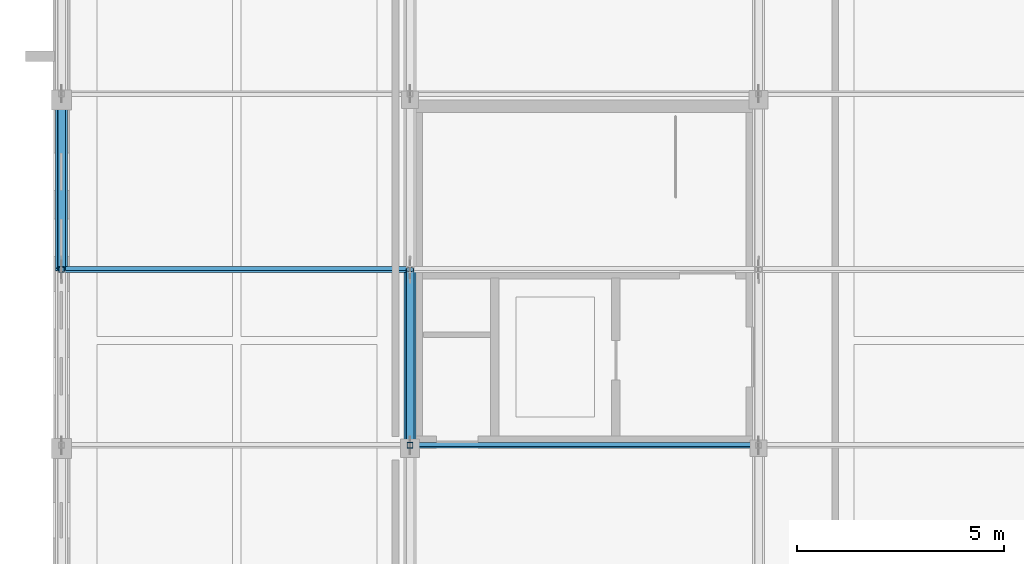
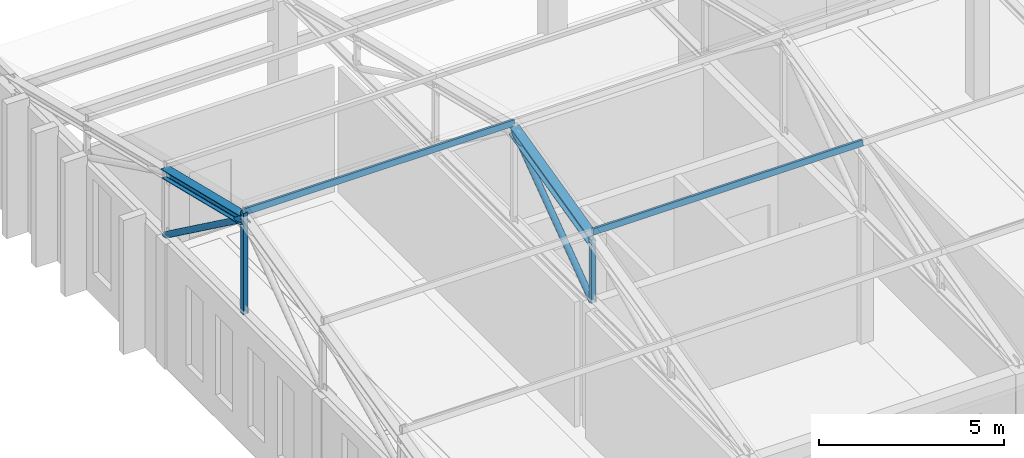
# One storey, part 15 of 192: 8 members.
"""IFC4 building model written with IfcOpenShell, lengths in metres."""

from ifc_helpers import new_model, si_unit, direction, frame, origin, origin_2d, place, context, subcontext, project, spatial, hollow_rectangle, hollow_circle, i_section, extrude, material, material_profile, profile_set, type_object, element, save


model = new_model("IFC4")

# Units and contexts
model_context = context("Model", 3, precision=1e-05, world=origin(), true_north=direction((0.0, 1.0)))
body_context = subcontext(model_context, "Body", "Model", "MODEL_VIEW")
ifc_project = project(units=[si_unit("LENGTHUNIT", "METRE"), si_unit("AREAUNIT", "SQUARE_METRE"), si_unit("VOLUMEUNIT", "CUBIC_METRE"), si_unit("PLANEANGLEUNIT", "RADIAN"), si_unit("MASSUNIT", "GRAM", prefix="KILO")], contexts=[model_context])

# Site, building, storey
site_placement = place(None, origin())
site = spatial("IfcSite", under=ifc_project, at=site_placement, CompositionType="ELEMENT")
building_placement = place(site_placement, origin())
building = spatial("IfcBuilding", under=site, at=building_placement, Name="Kveldsbrygga Polytechnic", CompositionType="ELEMENT")
storey_placement = place(building_placement, frame((0.0, 0.0, 5.43994140625)))
storey = spatial("IfcBuildingStorey", under=building, at=storey_placement, Name="L01", CompositionType="ELEMENT", Elevation=5.43994140625)

# Members
ifc_material = material(Name="Steel S355", Category="steel")
ifc_material_profile_1 = material_profile(ifc_material, hollow_rectangle(XDim=0.10009765625, YDim=0.179931640625, WallThickness=0.008056640625, at=origin_2d()), Name="RHS 180x100x8.0")
ifc_profile_set_1 = profile_set([ifc_material_profile_1], Name="Steel S355")
member_type_1 = type_object("IfcMemberType", Name="PRL-RHS180", PredefinedType="PURLIN", material=ifc_profile_set_1)
member_1_placement = place(storey_placement, frame((0.0, 12.7099609375, 7.456787109375), z_axis=(1.0, 0.0, 0.0), x_axis=(0.0, 0.971520177509, -0.236956841415)))
element("IfcMember", 1, at=member_1_placement, inside=storey, type_object=member_type_1, Name="Roof Purlin V5S-PRL-1-3", PredefinedType="PURLIN", context=body_context, shape_type="SweptSolid", body=[
    extrude(hollow_rectangle(XDim=0.10009765625, YDim=0.179931640625, WallThickness=0.008056640625, at=origin_2d()), origin(), (0.0, 0.0, 1.0), 8.39990234375),
])
member_2_placement = place(storey_placement, frame((8.39990234375, 8.473388671875, 6.423583984375), z_axis=(1.0, 0.0, 0.0), x_axis=(0.0, 0.971520177509, -0.236956841415)))
element("IfcMember", 2, at=member_2_placement, inside=storey, type_object=member_type_1, Name="Roof Purlin V5S-PRL-2-2", PredefinedType="PURLIN", context=body_context, shape_type="SweptSolid", body=[
    extrude(hollow_rectangle(XDim=0.10009765625, YDim=0.179931640625, WallThickness=0.008056640625, at=origin_2d()), origin(), (0.0, 0.0, 1.0), 8.400146484375),
])
ifc_material_profile_2 = material_profile(ifc_material, hollow_circle(Radius=0.096923828125, WallThickness=0.010009765625, at=origin_2d()), Name="CHS 193.7x10.0")
ifc_profile_set_2 = profile_set([ifc_material_profile_2], Name="Steel S355")
member_type_2 = type_object("IfcMemberType", Name="TR-DIAG-CHS194", PredefinedType="BRACE", material=ifc_profile_set_2)
member_3_placement = place(storey_placement, frame((0.0, 12.7099609375, 7.219970703125), z_axis=(0.0, 0.807053568691, -0.590478227594), x_axis=(-1.0, 0.0, 0.0)))
element("IfcMember", 3, at=member_3_placement, inside=storey, type_object=member_type_2, Name="Truss Diagonal V5S-T01-DG-4", PredefinedType="BRACE", context=body_context, shape_type="SweptSolid", body=[
    extrude(hollow_circle(Radius=0.096923828125, WallThickness=0.010009765625, at=origin_2d()), origin(), (0.0, 0.0, 1.0), 5.249755859375),
])
member_4_placement = place(storey_placement, frame((8.39990234375, 8.473388671875, 4.1201171875), z_axis=(0.0, 0.807037353017, 0.590500390207), x_axis=(-1.0, 0.0, 0.0)))
element("IfcMember", 4, at=member_4_placement, inside=storey, type_object=member_type_2, Name="Truss Diagonal V5S-T02-DG-3", PredefinedType="BRACE", context=body_context, shape_type="SweptSolid", body=[
    extrude(hollow_circle(Radius=0.096923828125, WallThickness=0.010009765625, at=origin_2d()), origin(), (0.0, 0.0, 1.0), 5.24951171875),
])
ifc_material_profile_3 = material_profile(ifc_material, hollow_rectangle(XDim=0.139892578125, YDim=0.139892578125, WallThickness=0.008056640625, at=origin_2d()), Name="SHS 140x140x8.0")
ifc_profile_set_3 = profile_set([ifc_material_profile_3], Name="Steel S355")
member_type_3 = type_object("IfcMemberType", Name="TR-POST-SHS140", PredefinedType="STRUT", material=ifc_profile_set_3)
member_5_placement = place(storey_placement, frame((0.0, 12.7099609375, 4.1201171875), z_axis=(0.0, 0.0, 1.0), x_axis=(1.0, 0.0, 0.0)))
element("IfcMember", 5, at=member_5_placement, inside=storey, type_object=member_type_3, Name="Truss Vertical V5S-T01-VT-3", PredefinedType="STRUT", context=body_context, shape_type="SweptSolid", body=[
    extrude(hollow_rectangle(XDim=0.139892578125, YDim=0.139892578125, WallThickness=0.008056640625, at=origin_2d()), origin(), (0.0, 0.0, 1.0), 3.336669921875),
])
member_6_placement = place(storey_placement, frame((8.39990234375, 8.473388671875, 4.1201171875), z_axis=(0.0, 0.0, 1.0), x_axis=(1.0, 0.0, 0.0)))
element("IfcMember", 6, at=member_6_placement, inside=storey, type_object=member_type_3, Name="Truss Vertical V5S-T02-VT-2", PredefinedType="STRUT", context=body_context, shape_type="SweptSolid", body=[
    extrude(hollow_rectangle(XDim=0.139892578125, YDim=0.139892578125, WallThickness=0.008056640625, at=origin_2d()), origin(), (0.0, 0.0, 1.0), 2.066650390625),
])
ifc_material_profile_4 = material_profile(ifc_material, i_section(OverallWidth=0.280029296875, OverallDepth=0.280029296875, WebThickness=0.010498046875, FlangeThickness=0.01806640625, FilletRadius=0.02392578125, at=origin_2d()), Name="HEB 280")
ifc_profile_set_4 = profile_set([ifc_material_profile_4], Name="Steel S355")
member_type_4 = type_object("IfcMemberType", Name="TR-TOP-HEB280", PredefinedType="CHORD", material=ifc_profile_set_4)
member_7_placement = place(storey_placement, frame((0.0, 12.7099609375, 7.219970703125), z_axis=(0.0, 0.971529139484, -0.236920094405), x_axis=(-1.0, 0.0, 0.0)))
element("IfcMember", 7, at=member_7_placement, inside=storey, type_object=member_type_4, Name="Truss Top Chord V5S-T01-TC-4", PredefinedType="CHORD", context=body_context, shape_type="SweptSolid", body=[
    extrude(i_section(OverallWidth=0.280029296875, OverallDepth=0.280029296875, WebThickness=0.010498046875, FlangeThickness=0.01806640625, FilletRadius=0.02392578125, at=origin_2d()), origin(), (0.0, 0.0, 1.0), 4.361083984375),
])
member_8_placement = place(storey_placement, frame((8.39990234375, 8.473388671875, 6.186767578125), z_axis=(0.0, 0.971525996838, 0.236932980961), x_axis=(-1.0, 0.0, 0.0)))
element("IfcMember", 8, at=member_8_placement, inside=storey, type_object=member_type_4, Name="Truss Top Chord V5S-T02-TC-3", PredefinedType="CHORD", context=body_context, shape_type="SweptSolid", body=[
    extrude(i_section(OverallWidth=0.280029296875, OverallDepth=0.280029296875, WebThickness=0.010498046875, FlangeThickness=0.01806640625, FilletRadius=0.02392578125, at=origin_2d()), origin(), (0.0, 0.0, 1.0), 4.36083984375),
])

save(model, "model.ifc")
